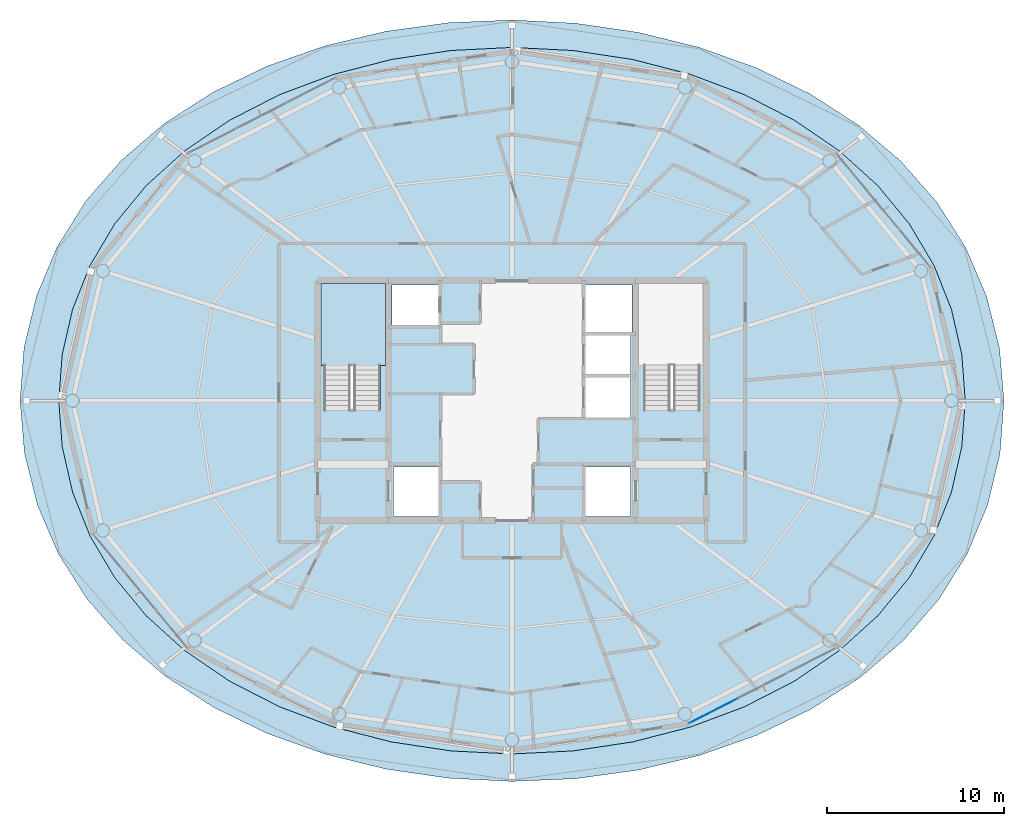
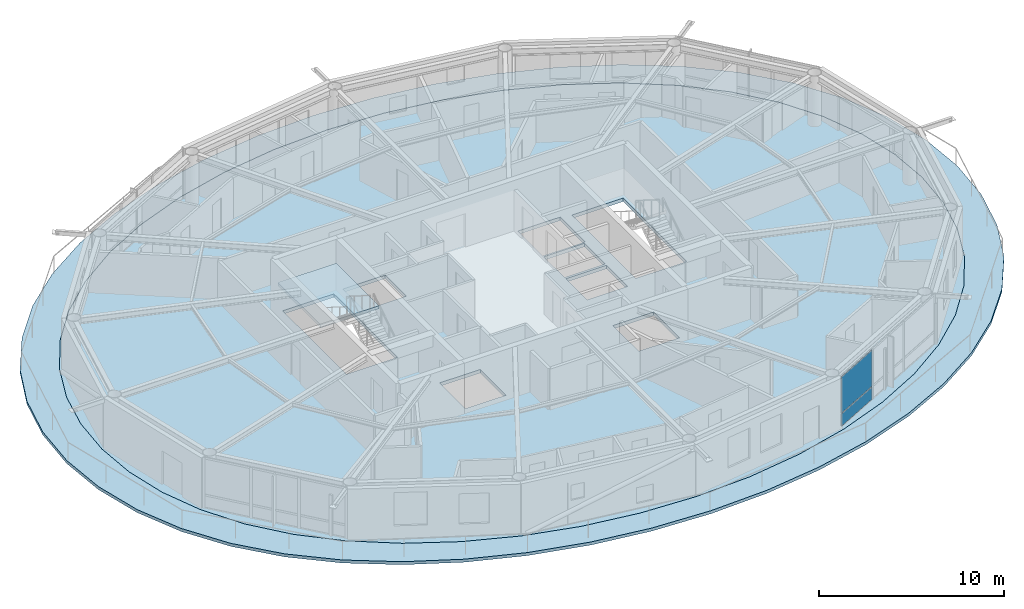
# One storey, part 13 of 23: 3 slabs, 2 plates, 2 elements without a shape of their own.
"""IFC4 building model written with IfcOpenShell, lengths in metres."""

from ifc_helpers import new_model, si_unit, direction, frame, origin, origin_2d, place, context, subcontext, project, spatial, polyline, rectangle, outline, extrude, material, layer, layer_set, type_object, element, aggregate, save


model = new_model("IFC4")

# Units and contexts
model_context = context("Model", 3, precision=1e-05, world=origin(), true_north=direction((0.0, 1.0)))
body_context = subcontext(model_context, "Body", "Model", "MODEL_VIEW")
ifc_project = project(units=[si_unit("LENGTHUNIT", "METRE"), si_unit("AREAUNIT", "SQUARE_METRE"), si_unit("VOLUMEUNIT", "CUBIC_METRE"), si_unit("PLANEANGLEUNIT", "RADIAN"), si_unit("MASSUNIT", "GRAM", prefix="KILO")], contexts=[model_context])

# Site, building, storey
site_placement = place(None, origin())
site = spatial("IfcSite", under=ifc_project, at=site_placement, CompositionType="ELEMENT")
building_placement = place(site_placement, origin())
building = spatial("IfcBuilding", under=site, at=building_placement, Name="Sarneth Arch Tower", CompositionType="ELEMENT")
storey_placement = place(building_placement, frame((0.0, 0.0, 273.0)))
storey = spatial("IfcBuildingStorey", under=building, at=storey_placement, Name="L70", CompositionType="ELEMENT", Elevation=273.0)

# Curtain wall, plates
ifc_material_1 = material(Name="Anodised aluminium Type AA25 and solar-control low-e laminated IGU", Category="aluminium")
ifc_layer_1 = layer(ifc_material_1, 0.179931640625)
ifc_layer_set_1 = layer_set([ifc_layer_1], Name="Anodised aluminium Type AA25 and solar-control low-e laminated IGU")
curtain_wall_type = type_object("IfcCurtainWallType", Name="CW-RES-HIGH", PredefinedType="NOTDEFINED", material=ifc_layer_set_1)
curtain_wall_placement = place(storey_placement, origin())
curtain_wall = element("IfcCurtainWall", 1, at=curtain_wall_placement, inside=storey, type_object=curtain_wall_type, Name="L70 Unitised curtain wall facet 14", PredefinedType="NOTDEFINED")
ifc_material_2 = material(Name="Solar-control low-e laminated IGU", Category="glass")
ifc_layer_2 = layer(ifc_material_2, 0.028076171875)
ifc_layer_set_2 = layer_set([ifc_layer_2], Name="Solar-control low-e laminated IGU")
plate_type = type_object("IfcPlateType", Name="CW-PANEL", PredefinedType="CURTAIN_PANEL", material=ifc_layer_set_2)
plate_1_placement = place(storey_placement, frame((59.4208984375, 24.447021484375, 0.06005859375), z_axis=(0.0, 0.0, 1.0), x_axis=(0.890009540525, 0.455941901753, 0.0)))
plate_1 = element("IfcPlate", 2, at=plate_1_placement, type_object=plate_type, Name="Curtain wall glazed vision pane CW-L70-F14/P00-00", PredefinedType="CURTAIN_PANEL", context=body_context, shape_type="SweptSolid", body=[
    extrude(rectangle(XDim=3.044677734375, YDim=0.028076171875, at=origin_2d()), origin(), (0.0, 0.0, 1.0), 0.81005859375),
])
plate_2_placement = place(storey_placement, frame((59.4208984375, 24.447021484375, 0.93017578125), z_axis=(0.0, 0.0, 1.0), x_axis=(0.890009540525, 0.455941901753, 0.0)))
plate_2 = element("IfcPlate", 3, at=plate_2_placement, type_object=plate_type, Name="Curtain wall glazed vision pane CW-L70-F14/P00-01", PredefinedType="CURTAIN_PANEL", context=body_context, shape_type="SweptSolid", body=[
    extrude(rectangle(XDim=3.044677734375, YDim=0.028076171875, at=origin_2d()), origin(), (0.0, 0.0, 1.0), 2.3798828125),
])
aggregate(curtain_wall, [plate_1, plate_2])

# Slab
ifc_material_3 = material(Name="Concrete C50/60", Category="concrete")
ifc_layer_3 = layer(ifc_material_3, 0.199951171875)
ifc_layer_set_3 = layer_set([ifc_layer_3], Name="Concrete C50/60")
slab_type_1 = type_object("IfcSlabType", Name="SLAB-BALC-200", PredefinedType="FLOOR", material=ifc_layer_set_3)
slab_1_placement = place(storey_placement, frame((0.0, 0.0, -0.199951171875)))
element("IfcSlab", 4, at=slab_1_placement, inside=storey, type_object=slab_type_1, Name="L70 Helical balcony band slab", PredefinedType="FLOOR", context=body_context, shape_type="SweptSolid", body=[
    extrude(outline(polyline([(75.85595703125, 42.0), (75.601806640625, 44.991943359375), (74.875732421875, 47.900390625), (73.69287109375, 50.658447265625), (72.073486328125, 53.216064453125), (70.041748046875, 55.537109375), (67.630126953125, 57.595458984375), (64.88037109375, 59.370849609375), (61.843505859375, 60.847412109375), (58.578125, 62.0126953125), (55.144287109375, 62.856689453125), (51.599853515625, 63.37255859375), (48.0, 63.554931640625), (44.397216796875, 63.401611328125), (40.844482421875, 62.912109375), (37.39794921875, 62.0888671875), (34.117431640625, 60.93701171875), (31.065185546875, 59.465087890625), (28.302001953125, 57.685546875), (25.882080078125, 55.614990234375), (23.849365234375, 53.27587890625), (22.2373046875, 50.697265625), (21.0712890625, 47.91943359375), (20.369384765625, 44.9970703125), (20.14404296875, 42.0), (20.398193359375, 39.008056640625), (21.124267578125, 36.099609375), (22.30712890625, 33.341552734375), (23.926513671875, 30.783935546875), (25.958251953125, 28.462890625), (28.369873046875, 26.404541015625), (31.11962890625, 24.629150390625), (34.156494140625, 23.152587890625), (37.421875, 21.9873046875), (40.855712890625, 21.143310546875), (44.400146484375, 20.62744140625), (48.0, 20.445068359375), (51.602783203125, 20.598388671875), (55.155517578125, 21.087890625), (58.60205078125, 21.9111328125), (61.882568359375, 23.06298828125), (64.934814453125, 24.534912109375), (67.697998046875, 26.314453125), (70.117919921875, 28.385009765625), (72.150634765625, 30.72412109375), (73.7626953125, 33.302734375), (74.9287109375, 36.08056640625), (75.630615234375, 39.0029296875), (75.85595703125, 42.0)]), holes=[polyline([(73.660888671875, 42.0), (73.466064453125, 44.610595703125), (72.87890625, 47.17626953125), (71.892822265625, 49.653564453125), (70.5029296875, 52.0), (68.712158203125, 54.17529296875), (66.536865234375, 56.14208984375), (64.009521484375, 57.8671875), (61.177001953125, 59.320556640625), (58.0966796875, 60.4775390625), (54.83203125, 61.318603515625), (51.44580078125, 61.828857421875), (48.0, 62.0), (44.55419921875, 61.828857421875), (41.16796875, 61.318603515625), (37.9033203125, 60.4775390625), (34.822998046875, 59.320556640625), (31.990478515625, 57.8671875), (29.463134765625, 56.14208984375), (27.287841796875, 54.17529296875), (25.4970703125, 52.0), (24.107177734375, 49.653564453125), (23.12109375, 47.17626953125), (22.533935546875, 44.610595703125), (22.339111328125, 42.0), (22.533935546875, 39.389404296875), (23.12109375, 36.82373046875), (24.107177734375, 34.346435546875), (25.4970703125, 32.0), (27.287841796875, 29.82470703125), (29.463134765625, 27.85791015625), (31.990478515625, 26.1328125), (34.822998046875, 24.679443359375), (37.9033203125, 23.5224609375), (41.16796875, 22.681396484375), (44.55419921875, 22.171142578125), (48.0, 22.0), (51.44580078125, 22.171142578125), (54.83203125, 22.681396484375), (58.0966796875, 23.5224609375), (61.177001953125, 24.679443359375), (64.009521484375, 26.1328125), (66.536865234375, 27.85791015625), (68.712158203125, 29.82470703125), (70.5029296875, 32.0), (71.892822265625, 34.346435546875), (72.87890625, 36.82373046875), (73.466064453125, 39.389404296875), (73.660888671875, 42.0)])]), origin(), (0.0, 0.0, 1.0), 0.199951171875),
])

# Stair, slab
ifc_material_4 = material(Name="Concrete C50/60", Category="concrete")
stair_type = type_object("IfcStairType", Name="STAIR-CORE-RC", PredefinedType="HALF_TURN_STAIR", material=ifc_material_4)
stair_placement = place(storey_placement, origin())
stair = element("IfcStair", 5, at=stair_placement, inside=storey, type_object=stair_type, Name="L70 Core Exit Stair 1", PredefinedType="HALF_TURN_STAIR")
ifc_material_5 = material(Name="Concrete C50/60", Category="concrete")
ifc_layer_4 = layer(ifc_material_5, 0.199951171875)
ifc_layer_set_4 = layer_set([ifc_layer_4], Name="Concrete C50/60")
slab_type_2 = type_object("IfcSlabType", Name="SLAB-LANDING-200", PredefinedType="LANDING", material=ifc_layer_set_4)
slab_2_placement = place(storey_placement, frame((0.0, 0.0, 1.60009765625)))
slab_2 = element("IfcSlab", 6, at=slab_2_placement, type_object=slab_type_2, Name="ST-1 landing 1", PredefinedType="LANDING", context=body_context, shape_type="SweptSolid", body=[
    extrude(outline(polyline([(37.175048828125, 43.985107421875), (40.824951171875, 43.985107421875), (40.824951171875, 48.625), (37.175048828125, 48.625), (37.175048828125, 43.985107421875)])), origin(), (0.0, 0.0, 1.0), 0.199951171875),
])
aggregate(stair, [slab_2])

# Slab
ifc_material_6 = material(Name="Concrete C50/60", Category="concrete")
ifc_layer_5 = layer(ifc_material_6, 0.22998046875)
ifc_layer_set_5 = layer_set([ifc_layer_5], Name="Concrete C50/60")
slab_type_3 = type_object("IfcSlabType", Name="SLAB-TOWER-230", PredefinedType="FLOOR", material=ifc_layer_set_5)
slab_3_placement = place(storey_placement, frame((0.0, 0.0, -0.22998046875)))
element("IfcSlab", 7, at=slab_3_placement, inside=storey, type_object=slab_type_3, Name="L70 Elliptical floor slab", PredefinedType="FLOOR", context=body_context, shape_type="SweptSolid", body=[
    extrude(outline(polyline([(73.660888671875, 42.0), (73.466064453125, 44.610595703125), (72.87890625, 47.17626953125), (71.892822265625, 49.653564453125), (70.5029296875, 52.0), (68.712158203125, 54.17529296875), (66.536865234375, 56.14208984375), (64.009521484375, 57.8671875), (61.177001953125, 59.320556640625), (58.0966796875, 60.4775390625), (54.83203125, 61.318603515625), (51.44580078125, 61.828857421875), (48.0, 62.0), (44.55419921875, 61.828857421875), (41.16796875, 61.318603515625), (37.9033203125, 60.4775390625), (34.822998046875, 59.320556640625), (31.990478515625, 57.8671875), (29.463134765625, 56.14208984375), (27.287841796875, 54.17529296875), (25.4970703125, 52.0), (24.107177734375, 49.653564453125), (23.12109375, 47.17626953125), (22.533935546875, 44.610595703125), (22.339111328125, 42.0), (22.533935546875, 39.389404296875), (23.12109375, 36.82373046875), (24.107177734375, 34.346435546875), (25.4970703125, 32.0), (27.287841796875, 29.82470703125), (29.463134765625, 27.85791015625), (31.990478515625, 26.1328125), (34.822998046875, 24.679443359375), (37.9033203125, 23.5224609375), (41.16796875, 22.681396484375), (44.55419921875, 22.171142578125), (48.0, 22.0), (51.44580078125, 22.171142578125), (54.83203125, 22.681396484375), (58.0966796875, 23.5224609375), (61.177001953125, 24.679443359375), (64.009521484375, 26.1328125), (66.536865234375, 27.85791015625), (68.712158203125, 29.82470703125), (70.5029296875, 32.0), (71.892822265625, 34.346435546875), (72.87890625, 36.82373046875), (73.466064453125, 39.389404296875), (73.660888671875, 42.0)]), holes=[polyline([(37.35009765625, 41.489990234375), (40.550048828125, 41.489990234375), (40.550048828125, 48.39990234375), (37.35009765625, 48.39990234375), (37.35009765625, 41.489990234375)]), polyline([(55.449951171875, 41.489990234375), (58.64990234375, 41.489990234375), (58.64990234375, 48.39990234375), (55.449951171875, 48.39990234375), (55.449951171875, 41.489990234375)]), polyline([(41.199951171875, 46.25), (43.85009765625, 46.25), (43.85009765625, 48.550048828125), (41.199951171875, 48.550048828125), (41.199951171875, 46.25)]), polyline([(41.300048828125, 35.449951171875), (43.85009765625, 35.449951171875), (43.85009765625, 38.25), (41.300048828125, 38.25), (41.300048828125, 35.449951171875)]), polyline([(52.14990234375, 35.449951171875), (54.699951171875, 35.449951171875), (54.699951171875, 38.25), (52.14990234375, 38.25), (52.14990234375, 35.449951171875)]), polyline([(52.14990234375, 45.85009765625), (54.800048828125, 45.85009765625), (54.800048828125, 48.550048828125), (52.14990234375, 48.550048828125), (52.14990234375, 45.85009765625)]), polyline([(52.14990234375, 41.050048828125), (54.699951171875, 41.050048828125), (54.699951171875, 43.35009765625), (52.14990234375, 43.35009765625), (52.14990234375, 41.050048828125)]), polyline([(52.14990234375, 43.5), (54.699951171875, 43.5), (54.699951171875, 45.75), (52.14990234375, 45.75), (52.14990234375, 43.5)])]), origin(), (0.0, 0.0, 1.0), 0.22998046875),
])

save(model, "model.ifc")
